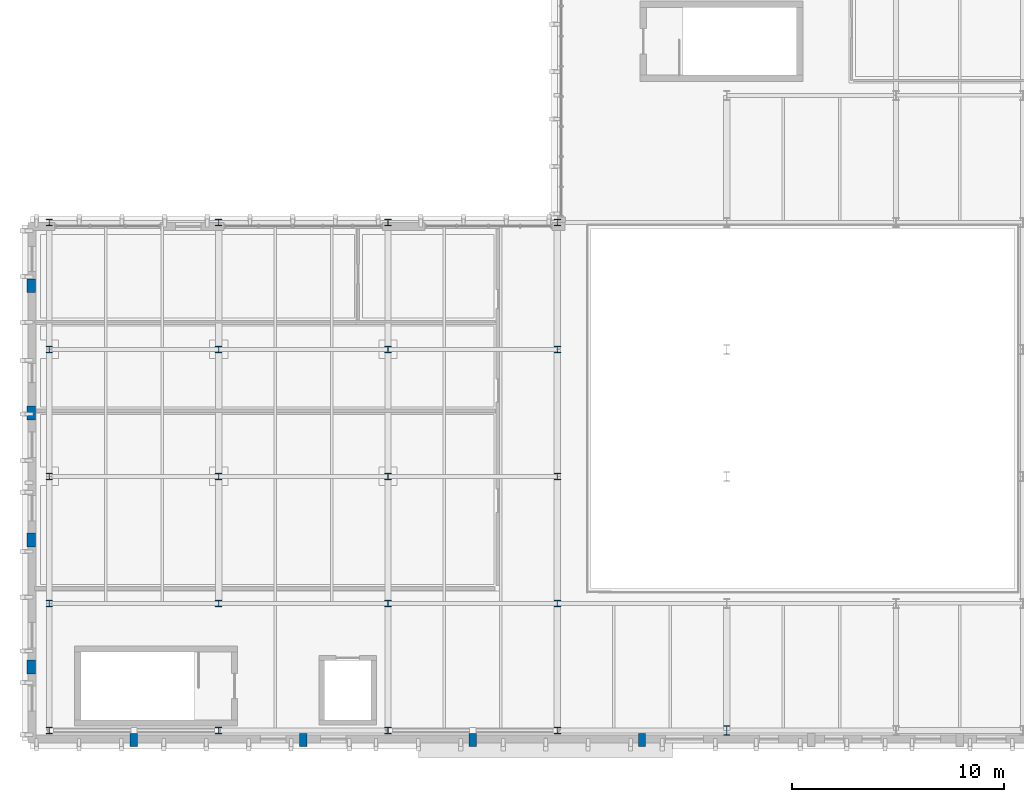
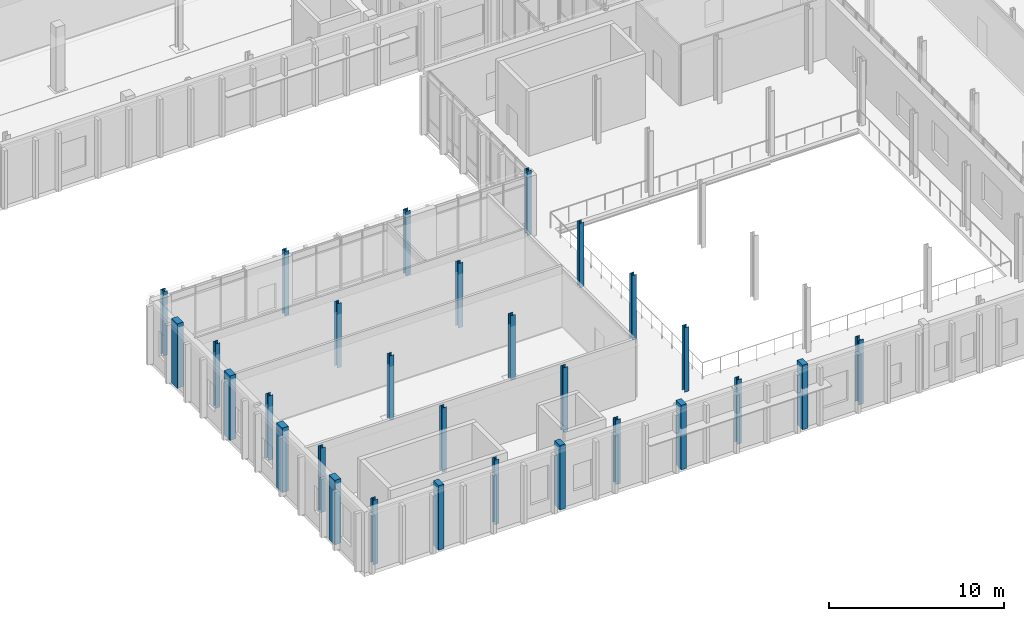
# One storey, part 1 of 100: 29 columns.
"""IFC4 building model written with IfcOpenShell, lengths in metres."""

from ifc_helpers import new_model, si_unit, direction, frame, origin, origin_2d, place, context, subcontext, project, spatial, rectangle, i_section, extrude, material, material_profile, profile_set, type_object, element, save


model = new_model("IFC4")

# Units and contexts
model_context = context("Model", 3, precision=1e-05, world=origin(), true_north=direction((0.0, 1.0)))
body_context = subcontext(model_context, "Body", "Model", "MODEL_VIEW")
ifc_project = project(units=[si_unit("LENGTHUNIT", "METRE"), si_unit("AREAUNIT", "SQUARE_METRE"), si_unit("VOLUMEUNIT", "CUBIC_METRE"), si_unit("PLANEANGLEUNIT", "RADIAN"), si_unit("MASSUNIT", "GRAM", prefix="KILO")], contexts=[model_context])

# Site, building, storey
site_placement = place(None, origin())
site = spatial("IfcSite", under=ifc_project, at=site_placement, CompositionType="ELEMENT")
building_placement = place(site_placement, origin())
building = spatial("IfcBuilding", under=site, at=building_placement, Name="Cymarion Research Institute", CompositionType="ELEMENT")
storey_placement = place(building_placement, frame((0.0, 0.0, 9.300048828125)))
storey = spatial("IfcBuildingStorey", under=building, at=storey_placement, Name="L02", CompositionType="ELEMENT", Elevation=9.300048828125)

# Columns
ifc_material_1 = material(Name="Concrete C40/50", Category="concrete")
ifc_material_profile_1 = material_profile(ifc_material_1, rectangle(XDim=0.35009765625, YDim=0.60009765625, at=origin_2d()), Name="RC 350x600")
ifc_profile_set_1 = profile_set([ifc_material_profile_1], Name="Concrete C40/50")
column_type_1 = type_object("IfcColumnType", Name="CONCRETE PILASTER PL01 RC 350x600", PredefinedType="PILASTER", material=ifc_profile_set_1)
for number, where, z_axis, x_axis, name in (
    (1, (10.60009765625, 5.050048828125, 0.0), (0.0, 0.0, 1.0), (1.0, 0.0, 0.0), "L02 V3 column PL01 #673"),
    (2, (18.60009765625, 5.050048828125, 0.0), (0.0, 0.0, 1.0), (1.0, 0.0, 0.0), "L02 V3 column PL01 #688"),
    (3, (26.60009765625, 5.050048828125, 0.0), (0.0, 0.0, 1.0), (1.0, 0.0, 0.0), "L02 V3 column PL01 #704"),
    (4, (34.60009765625, 5.050048828125, 0.0), (0.0, 0.0, 1.0), (1.0, 0.0, 0.0), "L02 V3 column PL01 #720"),
):
    element("IfcColumn", number, at=place(storey_placement, frame(where, z_axis=z_axis, x_axis=x_axis)), inside=storey, type_object=column_type_1, Name=name, PredefinedType="PILASTER", context=body_context, shape_type="SweptSolid", body=[
        extrude(rectangle(XDim=0.35009765625, YDim=0.60009765625, at=origin_2d()), origin(), (0.0, 0.0, 1.0), 4.5),
    ])
ifc_material_profile_2 = material_profile(ifc_material_1, rectangle(XDim=0.39990234375, YDim=0.64990234375, at=origin_2d()), Name="RC 400x650")
ifc_profile_set_2 = profile_set([ifc_material_profile_2], Name="Concrete C40/50")
column_type_2 = type_object("IfcColumnType", Name="CONCRETE PILASTER PL02 RC 400x650", PredefinedType="PILASTER", material=ifc_profile_set_2)
for number, where, z_axis, x_axis, name in (
    (5, (5.75, 8.5, 0.0), (0.0, 0.0, 1.0), (1.0, 0.0, 0.0), "L02 V3 column PL02 #654"),
    (6, (5.75, 14.5, 0.0), (0.0, 0.0, 1.0), (1.0, 0.0, 0.0), "L02 V3 column PL02 #655"),
    (7, (5.75, 20.5, 0.0), (0.0, 0.0, 1.0), (1.0, 0.0, 0.0), "L02 V3 column PL02 #656"),
    (8, (5.75, 26.5, 0.0), (0.0, 0.0, 1.0), (1.0, 0.0, 0.0), "L02 V3 column PL02 #657"),
):
    element("IfcColumn", number, at=place(storey_placement, frame(where, z_axis=z_axis, x_axis=x_axis)), inside=storey, type_object=column_type_2, Name=name, PredefinedType="PILASTER", context=body_context, shape_type="SweptSolid", body=[
        extrude(rectangle(XDim=0.39990234375, YDim=0.64990234375, at=origin_2d()), origin(), (0.0, 0.0, 1.0), 4.5),
    ])
ifc_material_2 = material(Name="Steel S355", Category="steel")
ifc_material_profile_3 = material_profile(ifc_material_2, i_section(OverallWidth=0.300048828125, OverallDepth=0.449951171875, WebThickness=0.013916015625, FlangeThickness=0.02587890625, FilletRadius=0.027099609375, at=origin_2d()), Name="HEB 450")
ifc_profile_set_3 = profile_set([ifc_material_profile_3], Name="Steel S355")
column_type_3 = type_object("IfcColumnType", Name="STRUCTURAL COLUMN C05 HEB 450", PredefinedType="COLUMN", material=ifc_profile_set_3)
column_placement = place(storey_placement, frame((38.60009765625, 5.5, 0.0), z_axis=(0.0, 0.0, 1.0), x_axis=(1.0, 0.0, 0.0)))
element("IfcColumn", 9, at=column_placement, inside=storey, type_object=column_type_3, Name="L02 V3 column C05 #724", PredefinedType="COLUMN", context=body_context, shape_type="SweptSolid", body=[
    extrude(i_section(OverallWidth=0.300048828125, OverallDepth=0.449951171875, WebThickness=0.013916015625, FlangeThickness=0.02587890625, FilletRadius=0.027099609375, at=origin_2d()), origin(), (0.0, 0.0, 1.0), 4.5),
])
ifc_material_profile_4 = material_profile(ifc_material_2, i_section(OverallWidth=0.300048828125, OverallDepth=0.300048828125, WebThickness=0.010986328125, FlangeThickness=0.01904296875, FilletRadius=0.027099609375, at=origin_2d()), Name="HEB 300")
ifc_profile_set_4 = profile_set([ifc_material_profile_4], Name="Steel S355")
column_type_4 = type_object("IfcColumnType", Name="STRUCTURAL COLUMN C08 HEB 300", PredefinedType="COLUMN", material=ifc_profile_set_4)
for number, where, z_axis, x_axis, name in (
    (10, (6.60009765625, 5.5, 0.0), (0.0, 0.0, 1.0), (1.0, 0.0, 0.0), "L02 V3 column C08 #658"),
    (11, (6.60009765625, 11.5, 0.0), (0.0, 0.0, 1.0), (1.0, 0.0, 0.0), "L02 V3 column C08 #659"),
    (12, (6.60009765625, 17.5, 0.0), (0.0, 0.0, 1.0), (1.0, 0.0, 0.0), "L02 V3 column C08 #660"),
    (13, (6.60009765625, 23.5, 0.0), (0.0, 0.0, 1.0), (1.0, 0.0, 0.0), "L02 V3 column C08 #661"),
    (14, (6.60009765625, 29.5, 0.0), (0.0, 0.0, 1.0), (1.0, 0.0, 0.0), "L02 V3 column C08 #662"),
    (15, (14.60009765625, 5.5, 0.0), (0.0, 0.0, 1.0), (1.0, 0.0, 0.0), "L02 V3 column C08 #674"),
    (16, (14.60009765625, 11.5, 0.0), (0.0, 0.0, 1.0), (1.0, 0.0, 0.0), "L02 V3 column C08 #675"),
    (17, (14.60009765625, 17.5, 0.0), (0.0, 0.0, 1.0), (1.0, 0.0, 0.0), "L02 V3 column C08 #676"),
    (18, (14.60009765625, 23.5, 0.0), (0.0, 0.0, 1.0), (1.0, 0.0, 0.0), "L02 V3 column C08 #677"),
    (19, (14.60009765625, 29.5, 0.0), (0.0, 0.0, 1.0), (1.0, 0.0, 0.0), "L02 V3 column C08 #678"),
    (20, (22.60009765625, 5.5, 0.0), (0.0, 0.0, 1.0), (1.0, 0.0, 0.0), "L02 V3 column C08 #689"),
    (21, (22.60009765625, 11.5, 0.0), (0.0, 0.0, 1.0), (1.0, 0.0, 0.0), "L02 V3 column C08 #690"),
    (22, (22.60009765625, 17.5, 0.0), (0.0, 0.0, 1.0), (1.0, 0.0, 0.0), "L02 V3 column C08 #691"),
    (23, (22.60009765625, 23.5, 0.0), (0.0, 0.0, 1.0), (1.0, 0.0, 0.0), "L02 V3 column C08 #692"),
    (24, (22.60009765625, 29.5, 0.0), (0.0, 0.0, 1.0), (1.0, 0.0, 0.0), "L02 V3 column C08 #693"),
    (25, (30.60009765625, 5.5, 0.0), (0.0, 0.0, 1.0), (1.0, 0.0, 0.0), "L02 V3 column C08 #705"),
    (26, (30.60009765625, 11.5, 0.0), (0.0, 0.0, 1.0), (1.0, 0.0, 0.0), "L02 V3 column C08 #706"),
    (27, (30.60009765625, 17.5, 0.0), (0.0, 0.0, 1.0), (1.0, 0.0, 0.0), "L02 V3 column C08 #707"),
    (28, (30.60009765625, 23.5, 0.0), (0.0, 0.0, 1.0), (1.0, 0.0, 0.0), "L02 V3 column C08 #708"),
    (29, (30.60009765625, 29.5, 0.0), (0.0, 0.0, 1.0), (1.0, 0.0, 0.0), "L02 V3 column C08 #709"),
):
    element("IfcColumn", number, at=place(storey_placement, frame(where, z_axis=z_axis, x_axis=x_axis)), inside=storey, type_object=column_type_4, Name=name, PredefinedType="COLUMN", context=body_context, shape_type="SweptSolid", body=[
        extrude(i_section(OverallWidth=0.300048828125, OverallDepth=0.300048828125, WebThickness=0.010986328125, FlangeThickness=0.01904296875, FilletRadius=0.027099609375, at=origin_2d()), origin(), (0.0, 0.0, 1.0), 4.5),
    ])

save(model, "model.ifc")
